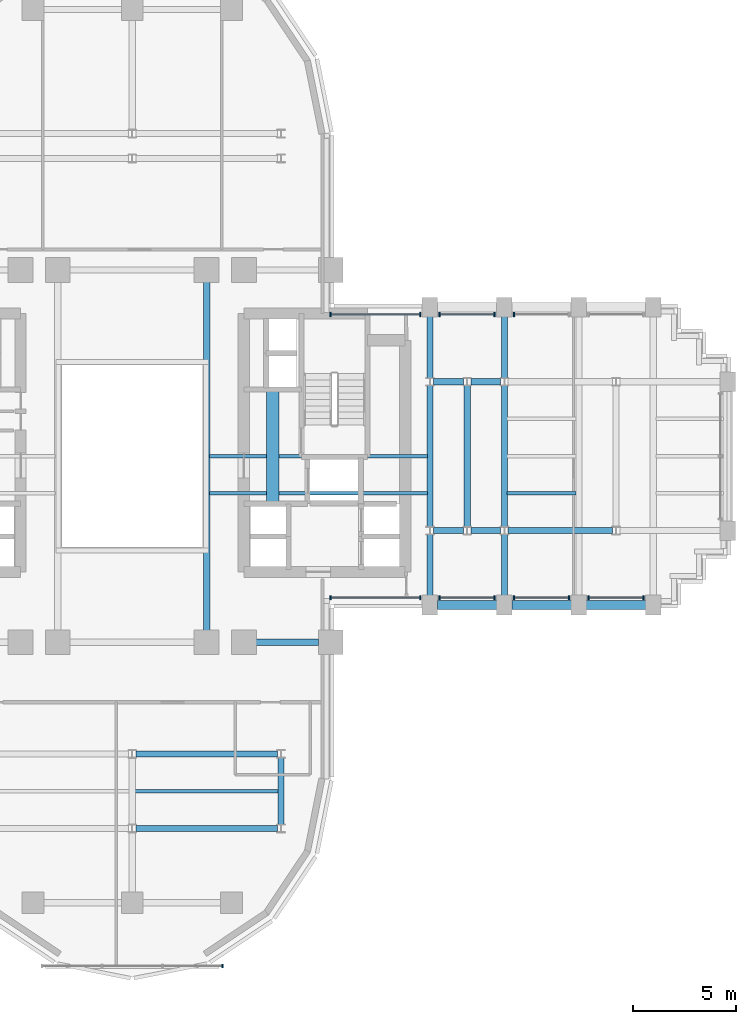
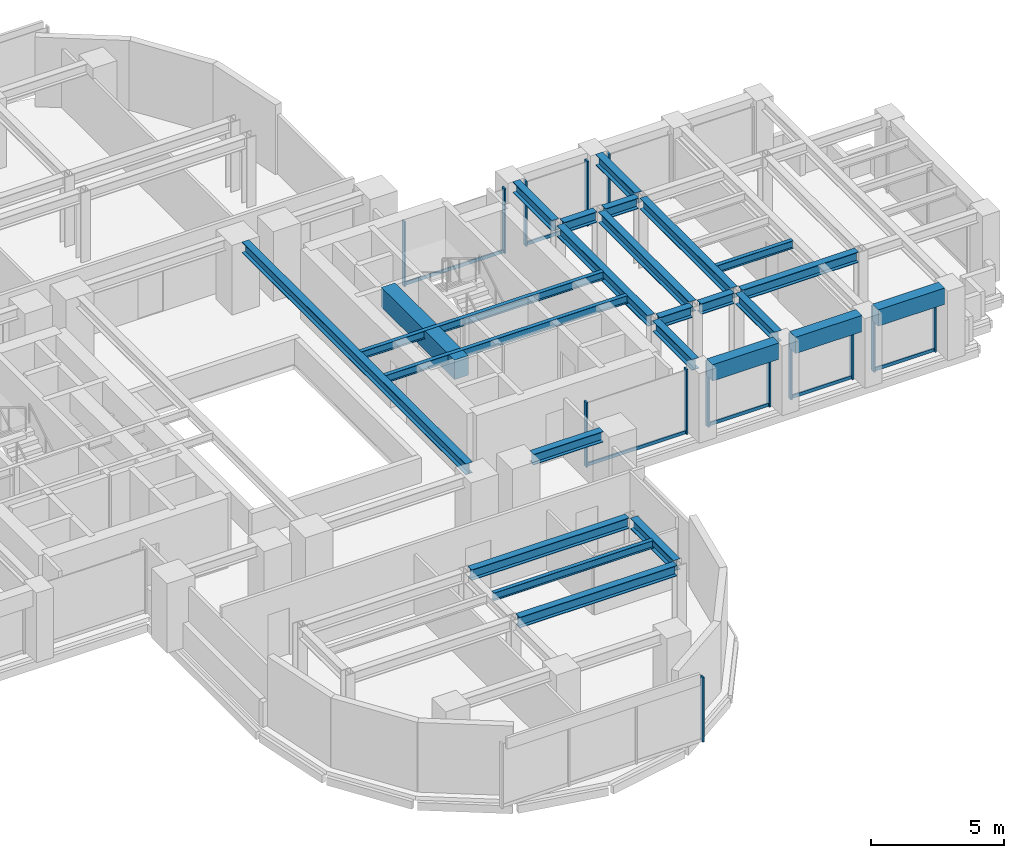
# One storey, part 5 of 16: 25 beams, 20 members, 8 elements without a shape of their own.
"""IFC4 building model written with IfcOpenShell, lengths in metres."""

import ifcopenshell
import ifcopenshell.guid

model = None  # the IFC model being written
_history = None  # IfcOwnerHistory: only IFC2X3 demands one
_inside = {}  # id of a spatial element -> (the spatial element, [elements in it])
_under = {}  # id of a project, library or spatial element -> (it, [spatial elements below it])
_declared = {}  # id of a project -> (the project, [libraries it declares])
_typed = {}  # id of a type object -> (the type object, [elements of that type])
_made_of = {}  # id of a material, layer set ... -> (it, [elements and type objects made of it])


def new_model(schema):
    """Start an empty IFC model of exactly this schema.

    Asked for "IFC4X3", IfcOpenShell would pick the latest addendum, in which some entities
    have other attributes; the version numbers below select the first issue.
    IFC2X3 requires an IfcOwnerHistory on every rooted entity: one is made here for all.
    """
    global model, _history
    if schema == "IFC4X3":
        model = ifcopenshell.file(schema_version=(4, 3, 0, 0))
    else:
        model = ifcopenshell.file(schema=schema)
    _inside.clear()
    _under.clear()
    _declared.clear()
    _typed.clear()
    _made_of.clear()
    _history = None
    if model.schema == "IFC2X3":
        org = make("IfcOrganization", Name="unknown")
        user = make(
            "IfcPersonAndOrganization",
            ThePerson=make("IfcPerson", FamilyName="unknown"),
            TheOrganization=org,
        )
        app = make(
            "IfcApplication",
            ApplicationDeveloper=org,
            Version="unknown",
            ApplicationFullName="unknown",
            ApplicationIdentifier="unknown",
        )
        _history = make(
            "IfcOwnerHistory",
            OwningUser=user,
            OwningApplication=app,
            ChangeAction="ADDED",
            CreationDate=0,
        )
    return model


def make(cls, **values):
    """One entity of the class cls with the attributes given. An attribute that is None is left unset."""
    return model.create_entity(
        cls, **{name: value for name, value in values.items() if value is not None}
    )


def rooted(cls, **values):
    """An entity with a GlobalId (a new one), such as an element, a storey or a relation."""
    return make(cls, GlobalId=ifcopenshell.guid.new(), OwnerHistory=_history, **values)


def si_unit(unit_type, name, prefix=None):
    """IfcSIUnit, for example si_unit("LENGTHUNIT", "METRE", prefix="MILLI")."""
    return make("IfcSIUnit", UnitType=unit_type, Prefix=prefix, Name=name)


def assignment(units):
    """IfcUnitAssignment: the units of a project."""
    return None if units is None else make("IfcUnitAssignment", Units=units)


def point(xyz):
    """IfcCartesianPoint."""
    return None if xyz is None else make("IfcCartesianPoint", Coordinates=xyz)


def direction(xyz):
    """IfcDirection."""
    return None if xyz is None else make("IfcDirection", DirectionRatios=xyz)


def frame(location, z_axis=None, x_axis=None):
    """IfcAxis2Placement3D, a coordinate frame: its origin and axes. An axis left out is left unset."""
    return make(
        "IfcAxis2Placement3D",
        Location=point(location),
        Axis=direction(z_axis),
        RefDirection=direction(x_axis),
    )


def frame_2d(location, x_axis=None):
    """IfcAxis2Placement2D, a coordinate frame in the plane: its origin and x axis."""
    return make(
        "IfcAxis2Placement2D", Location=point(location), RefDirection=direction(x_axis)
    )


def origin():
    """The frame at (0, 0, 0) with its axes left unset."""
    return frame((0.0, 0.0, 0.0))


def origin_2d():
    """The frame at (0, 0) in the plane with its x axis left unset."""
    return frame_2d((0.0, 0.0))


def place(relative_to, where):
    """IfcLocalPlacement: puts the frame where relative to a parent placement (None: the world)."""
    return make(
        "IfcLocalPlacement", PlacementRelTo=relative_to, RelativePlacement=where
    )


def context(
    kind, dimensions, precision=None, world=None, true_north=None, identifier=None
):
    """IfcGeometricRepresentationContext, for example the 3D "Model" context."""
    return make(
        "IfcGeometricRepresentationContext",
        ContextIdentifier=identifier,
        ContextType=kind,
        CoordinateSpaceDimension=dimensions,
        Precision=precision,
        WorldCoordinateSystem=world,
        TrueNorth=true_north,
    )


def subcontext(parent, identifier, kind, view, scale=None):
    """IfcGeometricRepresentationSubContext, for example "Body" below "Model"."""
    return make(
        "IfcGeometricRepresentationSubContext",
        ContextIdentifier=identifier,
        ContextType=kind,
        ParentContext=parent,
        TargetScale=scale,
        TargetView=view,
    )


def project(units=None, contexts=None):
    """IfcProject with its units and contexts."""
    return rooted(
        "IfcProject",
        Name="project",
        RepresentationContexts=contexts,
        UnitsInContext=assignment(units),
    )


def spatial(cls, under=None, at=None, **own):
    """A site, building, storey or space (cls), placed at a placement, below another one or the project."""
    s = rooted(cls, ObjectPlacement=at, **own)
    if under is not None:
        _under.setdefault(under.id(), (under, []))[1].append(s)
    return s


def profile(cls, at=None, kind="AREA", **sizes):
    """A parametric profile (cls). Its sizes go by their IFC names, for example OverallWidth=200.0."""
    return make(cls, ProfileType=kind, Position=at, **sizes)


def rectangle(**sizes):
    """IfcRectangleProfileDef."""
    return profile("IfcRectangleProfileDef", **sizes)


def i_section(**sizes):
    """IfcIShapeProfileDef."""
    return profile("IfcIShapeProfileDef", **sizes)


def extrude(swept, where, along, depth):
    """IfcExtrudedAreaSolid: the profile swept, set in the frame where, extruded along a direction by depth."""
    return make(
        "IfcExtrudedAreaSolid",
        SweptArea=swept,
        Position=where,
        ExtrudedDirection=direction(along),
        Depth=depth,
    )


def shape(context_of_items, identifier, shape_type, items):
    """IfcShapeRepresentation: the items that make up one representation, for example the "Body"."""
    return make(
        "IfcShapeRepresentation",
        ContextOfItems=context_of_items,
        RepresentationIdentifier=identifier,
        RepresentationType=shape_type,
        Items=items,
    )


def source(mapping_origin, context_of_items, identifier, shape_type, items):
    """IfcRepresentationMap: a shape defined once, which mapped items show again and again."""
    return make(
        "IfcRepresentationMap",
        MappingOrigin=mapping_origin,
        MappedRepresentation=shape(context_of_items, identifier, shape_type, items),
    )


def transform(
    local_origin,
    x_axis=None,
    y_axis=None,
    z_axis=None,
    scale=None,
    scale2=None,
    scale3=None,
    uniform=True,
):
    """IfcCartesianTransformationOperator3D, or its non-uniform kind. x_axis, y_axis, z_axis: its Axis1, 2, 3."""
    if uniform:
        return make(
            "IfcCartesianTransformationOperator3D",
            Axis1=direction(x_axis),
            Axis2=direction(y_axis),
            LocalOrigin=point(local_origin),
            Scale=scale,
            Axis3=direction(z_axis),
        )
    return make(
        "IfcCartesianTransformationOperator3DnonUniform",
        Axis1=direction(x_axis),
        Axis2=direction(y_axis),
        LocalOrigin=point(local_origin),
        Scale=scale,
        Axis3=direction(z_axis),
        Scale2=scale2,
        Scale3=scale3,
    )


def mapped(mapping_source, mapping_target):
    """IfcMappedItem: shows the shape of a source again, moved by a transform."""
    return make(
        "IfcMappedItem", MappingSource=mapping_source, MappingTarget=mapping_target
    )


def material(Name=None, Category=None):
    """IfcMaterial."""
    return make("IfcMaterial", Name=Name, Category=Category)


def material_profile(
    of_material, cross_section, Name=None, Category=None, Priority=None
):
    """IfcMaterialProfile: a cross section and its material."""
    return make(
        "IfcMaterialProfile",
        Name=Name,
        Material=of_material,
        Profile=cross_section,
        Priority=Priority,
        Category=Category,
    )


def profile_set(profiles, Name=None, composite=None):
    """IfcMaterialProfileSet."""
    return make(
        "IfcMaterialProfileSet",
        Name=Name,
        MaterialProfiles=profiles,
        CompositeProfile=composite,
    )


def made_of(thing, what):
    """Note that an element or type object is made of a material, layer set ...; save() writes the relation."""
    if what is not None:
        _made_of.setdefault(what.id(), (what, []))[1].append(thing)
    return thing


def type_object(cls, material=None, **own):
    """A type object (cls), such as IfcWallType, which elements share."""
    return made_of(rooted(cls, **own), material)


def element(
    cls,
    number,
    at=None,
    inside=None,
    cuts=None,
    type_object=None,
    material=None,
    context=None,
    identifier="Body",
    shape_type=None,
    held_by="IfcProductDefinitionShape",
    body=None,
    shapes=None,
    **own,
):
    """One element of the class cls, such as IfcWall. Its Tag is "e" and its number.

    at: its placement. inside: the storey or other place that contains it. cuts: it is an
    opening in that element (IfcRelVoidsElement). A single representation is given by context,
    identifier, shape_type and body (its items); several are given by shapes. held_by: the class
    of the entity that holds the representations. save() writes the other relations.
    """
    e = rooted(cls, Tag="e%d" % number, ObjectPlacement=at, **own)
    if body is not None:
        shapes = [shape(context, identifier, shape_type, body)]
    if shapes is not None:
        e.Representation = make(held_by, Representations=shapes)
    if inside is not None:
        _inside.setdefault(inside.id(), (inside, []))[1].append(e)
    if cuts is not None:
        rooted(
            "IfcRelVoidsElement", RelatingBuildingElement=cuts, RelatedOpeningElement=e
        )
    if type_object is not None:
        _typed.setdefault(type_object.id(), (type_object, []))[1].append(e)
    return made_of(e, material)


def aggregate(whole, parts):
    """IfcRelAggregates: a whole, such as a stair, and the parts it consists of."""
    return rooted("IfcRelAggregates", RelatingObject=whole, RelatedObjects=parts)


def save(model, path):
    """Write the relations noted so far, then the file.

    IfcRelAggregates (storeys below a building ...), IfcRelContainedInSpatialStructure (elements
    in a storey), IfcRelDefinesByType, IfcRelAssociatesMaterial and IfcRelDeclares: one each for
    every whole, place, type object, material and project.
    """
    for whole, parts in _under.values():
        aggregate(whole, parts)
    for where, things in _inside.values():
        rooted(
            "IfcRelContainedInSpatialStructure",
            RelatedElements=things,
            RelatingStructure=where,
        )
    for kind, things in _typed.values():
        rooted("IfcRelDefinesByType", RelatedObjects=things, RelatingType=kind)
    for what, things in _made_of.values():
        rooted("IfcRelAssociatesMaterial", RelatedObjects=things, RelatingMaterial=what)
    for by, libraries in _declared.values():
        rooted("IfcRelDeclares", RelatingContext=by, RelatedDefinitions=libraries)
    model.write(path)


model = new_model("IFC4")

# Units and contexts
model_context = context("Model", 3, precision=1e-05, world=origin(), true_north=direction((0.0, 1.0)))
body_context = subcontext(model_context, "Body", "Model", "MODEL_VIEW")
ifc_project = project(units=[si_unit("LENGTHUNIT", "METRE"), si_unit("AREAUNIT", "SQUARE_METRE"), si_unit("VOLUMEUNIT", "CUBIC_METRE"), si_unit("PLANEANGLEUNIT", "RADIAN"), si_unit("MASSUNIT", "GRAM", prefix="KILO")], contexts=[model_context])

# Site, building, storey
site_placement = place(None, origin())
site = spatial("IfcSite", under=ifc_project, at=site_placement, CompositionType="ELEMENT")
building_placement = place(site_placement, origin())
building = spatial("IfcBuilding", under=site, at=building_placement, Name="Keilestroom Media Tower", CompositionType="ELEMENT")
storey_placement = place(building_placement, frame((0.0, 0.0, 81.60009765625)))
storey = spatial("IfcBuildingStorey", under=building, at=storey_placement, Name="L21", CompositionType="ELEMENT", Elevation=81.60009765625)

# Beams
ifc_material_1 = material(Name="Concrete C70/85", Category="concrete")
ifc_material_profile_1 = material_profile(ifc_material_1, rectangle(XDim=0.60009765625, YDim=0.89990234375, at=origin_2d()), Name="RC 600x900")
ifc_profile_set_1 = profile_set([ifc_material_profile_1], Name="Concrete C70/85")
beam_type_1 = type_object("IfcBeamType", Name="Core-Coupling-Lintel-Beam-RC-600x900", PredefinedType="LINTEL", material=ifc_profile_set_1)
shared_shape_1 = source(origin(), body_context, "Body", "SweptSolid", [
    extrude(rectangle(XDim=0.60009765625, YDim=0.89990234375, at=origin_2d()), origin(), (0.0, 0.0, 1.0), 5.52001953125),
])
beam_1_placement = place(storey_placement, frame((6.800048828125, -2.300048828125, 2.75), z_axis=(0.0, 1.0, 0.0), x_axis=(-1.0, 0.0, 0.0)))
element("IfcBeam", 1, at=beam_1_placement, inside=storey, type_object=beam_type_1, Name="L21 Beam CLB-1 CLB-L21-E", PredefinedType="LINTEL", context=body_context, shape_type="MappedRepresentation", body=[
    mapped(shared_shape_1, transform((0.0, 0.0, 0.0), x_axis=(1.0, 0.0, 0.0), y_axis=(0.0, 1.0, 0.0), z_axis=(0.0, 0.0, 1.0), scale=1.0)),
])
ifc_material_2 = material(Name="Precast concrete C40/50", Category="concrete")
ifc_material_profile_2 = material_profile(ifc_material_2, rectangle(XDim=0.449951171875, YDim=0.75, at=origin_2d()), Name="PC 450x750")
ifc_profile_set_2 = profile_set([ifc_material_profile_2], Name="Precast concrete C40/50")
beam_type_2 = type_object("IfcBeamType", Name="Perimeter-Spandrel-Beam-PC-450x750", PredefinedType="SPANDREL", material=ifc_profile_set_2)
shared_shape_2 = source(origin(), body_context, "Body", "SweptSolid", [
    extrude(rectangle(XDim=0.449951171875, YDim=0.75, at=origin_2d()), origin(), (0.0, 0.0, 1.0), 2.889892578125),
])
beam_2_placement = place(storey_placement, frame((21.955078125, -7.199951171875, 2.824951171875), z_axis=(1.0, 0.0, 0.0), x_axis=(0.0, 1.0, 0.0)))
element("IfcBeam", 2, at=beam_2_placement, inside=storey, type_object=beam_type_2, Name="L21 Beam SPB-1 BM-L21-EW-017", PredefinedType="SPANDREL", context=body_context, shape_type="MappedRepresentation", body=[
    mapped(shared_shape_2, transform((0.0, 0.0, 0.0), x_axis=(1.0, 0.0, 0.0), y_axis=(0.0, 1.0, 0.0), z_axis=(0.0, 0.0, 1.0), scale=1.0)),
])
shared_shape_3 = source(origin(), body_context, "Body", "SweptSolid", [
    extrude(rectangle(XDim=0.449951171875, YDim=0.75, at=origin_2d()), origin(), (0.0, 0.0, 1.0), 2.89013671875),
])
for number, where, z_axis, x_axis, name in (
    (3, (14.7548828125, -7.199951171875, 2.824951171875), (1.0, 0.0, 0.0), (0.0, 1.0, 0.0), "L21 Beam SPB-1 BM-L21-EW-015"),
    (4, (18.35498046875, -7.199951171875, 2.824951171875), (1.0, 0.0, 0.0), (0.0, 1.0, 0.0), "L21 Beam SPB-1 BM-L21-EW-016"),
):
    element("IfcBeam", number, at=place(storey_placement, frame(where, z_axis=z_axis, x_axis=x_axis)), inside=storey, type_object=beam_type_2, Name=name, PredefinedType="SPANDREL", context=body_context, shape_type="MappedRepresentation", body=[
        mapped(shared_shape_3, transform((0.0, 0.0, 0.0), x_axis=(1.0, 0.0, 0.0), y_axis=(0.0, 1.0, 0.0), z_axis=(0.0, 0.0, 1.0), scale=1.0)),
    ])
ifc_material_3 = material(Name="Steel S355", Category="steel")
ifc_material_profile_3 = material_profile(ifc_material_3, i_section(OverallWidth=0.300048828125, OverallDepth=0.5, WebThickness=0.012451171875, FlangeThickness=0.028076171875, at=origin_2d()), Name="HEB 500")
ifc_profile_set_3 = profile_set([ifc_material_profile_3], Name="Steel S355")
beam_type_3 = type_object("IfcBeamType", Name="Primary-Structural-Girder-HEB-500", PredefinedType="BEAM", material=ifc_profile_set_3)
shared_shape_4 = source(origin(), body_context, "Body", "SweptSolid", [
    extrude(i_section(OverallWidth=0.300048828125, OverallDepth=0.5, WebThickness=0.012451171875, FlangeThickness=0.028076171875, at=origin_2d()), origin(), (0.0, 0.0, 1.0), 6.8330078125),
])
for number, where, z_axis, x_axis, name in (
    (5, (14.39990234375, -3.41650390625, 2.949951171875), (0.0, 1.0, 0.0), (-1.0, 0.0, 0.0), "L21 Beam BG-6 BM-L21-NS-077"),
    (6, (16.199951171875, -3.41650390625, 2.949951171875), (0.0, 1.0, 0.0), (-1.0, 0.0, 0.0), "L21 Beam BG-6 BM-L21-NS-079"),
    (7, (18.0, -3.41650390625, 2.949951171875), (0.0, 1.0, 0.0), (-1.0, 0.0, 0.0), "L21 Beam BG-6 BM-L21-NS-081"),
):
    element("IfcBeam", number, at=place(storey_placement, frame(where, z_axis=z_axis, x_axis=x_axis)), inside=storey, type_object=beam_type_3, Name=name, PredefinedType="BEAM", context=body_context, shape_type="MappedRepresentation", body=[
        mapped(shared_shape_4, transform((0.0, 0.0, 0.0), x_axis=(1.0, 0.0, 0.0), y_axis=(0.0, 1.0, 0.0), z_axis=(0.0, 0.0, 1.0), scale=1.0)),
    ])
shared_shape_5 = source(origin(), body_context, "Body", "SweptSolid", [
    extrude(i_section(OverallWidth=0.300048828125, OverallDepth=0.5, WebThickness=0.012451171875, FlangeThickness=0.028076171875, at=origin_2d()), origin(), (0.0, 0.0, 1.0), 2.961669921875),
])
for number, where, z_axis, x_axis, name in (
    (8, (14.39990234375, -6.7451171875, 2.949951171875), (0.0, 1.0, 0.0), (-1.0, 0.0, 0.0), "L21 Beam BG-6 BM-L21-NS-076"),
    (9, (14.39990234375, 3.783447265625, 2.949951171875), (0.0, 1.0, 0.0), (-1.0, 0.0, 0.0), "L21 Beam BG-6 BM-L21-NS-078"),
    (10, (18.0, -6.7451171875, 2.949951171875), (0.0, 1.0, 0.0), (-1.0, 0.0, 0.0), "L21 Beam BG-6 BM-L21-NS-080"),
    (11, (18.0, 3.783447265625, 2.949951171875), (0.0, 1.0, 0.0), (-1.0, 0.0, 0.0), "L21 Beam BG-6 BM-L21-NS-082"),
):
    element("IfcBeam", number, at=place(storey_placement, frame(where, z_axis=z_axis, x_axis=x_axis)), inside=storey, type_object=beam_type_3, Name=name, PredefinedType="BEAM", context=body_context, shape_type="MappedRepresentation", body=[
        mapped(shared_shape_5, transform((0.0, 0.0, 0.0), x_axis=(1.0, 0.0, 0.0), y_axis=(0.0, 1.0, 0.0), z_axis=(0.0, 0.0, 1.0), scale=1.0)),
    ])
shared_shape_6 = source(origin(), body_context, "Body", "SweptSolid", [
    extrude(i_section(OverallWidth=0.300048828125, OverallDepth=0.5, WebThickness=0.012451171875, FlangeThickness=0.028076171875, at=origin_2d()), origin(), (0.0, 0.0, 1.0), 3.23291015625),
])
beam_3_placement = place(storey_placement, frame((7.199951171875, -17.81640625, 2.949951171875), z_axis=(0.0, 1.0, 0.0), x_axis=(-1.0, 0.0, 0.0)))
element("IfcBeam", 12, at=beam_3_placement, inside=storey, type_object=beam_type_3, Name="L21 Beam BG-6 BM-L21-NS-073", PredefinedType="BEAM", context=body_context, shape_type="MappedRepresentation", body=[
    mapped(shared_shape_6, transform((0.0, 0.0, 0.0), x_axis=(1.0, 0.0, 0.0), y_axis=(0.0, 1.0, 0.0), z_axis=(0.0, 0.0, 1.0), scale=1.0)),
])
shared_shape_7 = source(origin(), body_context, "Body", "SweptSolid", [
    extrude(i_section(OverallWidth=0.300048828125, OverallDepth=0.5, WebThickness=0.012451171875, FlangeThickness=0.028076171875, at=origin_2d()), origin(), (0.0, 0.0, 1.0), 16.83984375),
])
beam_4_placement = place(storey_placement, frame((3.60009765625, -8.419921875, 2.949951171875), z_axis=(0.0, 1.0, 0.0), x_axis=(-1.0, 0.0, 0.0)))
element("IfcBeam", 13, at=beam_4_placement, inside=storey, type_object=beam_type_3, Name="L21 Beam BG-6 BM-L21-NS-071", PredefinedType="BEAM", context=body_context, shape_type="MappedRepresentation", body=[
    mapped(shared_shape_7, transform((0.0, 0.0, 0.0), x_axis=(1.0, 0.0, 0.0), y_axis=(0.0, 1.0, 0.0), z_axis=(0.0, 0.0, 1.0), scale=1.0)),
])
ifc_material_profile_4 = material_profile(ifc_material_3, i_section(OverallWidth=0.300048828125, OverallDepth=0.489990234375, WebThickness=0.011962890625, FlangeThickness=0.02294921875, at=origin_2d()), Name="HEA 500")
ifc_profile_set_4 = profile_set([ifc_material_profile_4], Name="Steel S355")
beam_type_4 = type_object("IfcBeamType", Name="Primary-Structural-Girder-HEA-500", PredefinedType="BEAM", material=ifc_profile_set_4)
shared_shape_8 = source(origin(), body_context, "Body", "SweptSolid", [
    extrude(i_section(OverallWidth=0.300048828125, OverallDepth=0.489990234375, WebThickness=0.011962890625, FlangeThickness=0.02294921875, at=origin_2d()), origin(), (0.0, 0.0, 1.0), 6.836181640625),
])
for number, where, z_axis, x_axis, name in (
    (14, (0.181884765625, -18.0, 2.954833984375), (1.0, 0.0, 0.0), (0.0, 1.0, 0.0), "L21 Beam BG-10 BM-L21-EW-004"),
    (15, (0.181884765625, -14.39990234375, 2.954833984375), (1.0, 0.0, 0.0), (0.0, 1.0, 0.0), "L21 Beam BG-10 BM-L21-EW-006"),
):
    element("IfcBeam", number, at=place(storey_placement, frame(where, z_axis=z_axis, x_axis=x_axis)), inside=storey, type_object=beam_type_4, Name=name, PredefinedType="BEAM", context=body_context, shape_type="MappedRepresentation", body=[
        mapped(shared_shape_8, transform((0.0, 0.0, 0.0), x_axis=(1.0, 0.0, 0.0), y_axis=(0.0, 1.0, 0.0), z_axis=(0.0, 0.0, 1.0), scale=1.0)),
    ])
shared_shape_9 = source(origin(), body_context, "Body", "SweptSolid", [
    extrude(i_section(OverallWidth=0.300048828125, OverallDepth=0.489990234375, WebThickness=0.011962890625, FlangeThickness=0.02294921875, at=origin_2d()), origin(), (0.0, 0.0, 1.0), 3.0400390625),
])
beam_5_placement = place(storey_placement, frame((5.97998046875, -9.0, 2.954833984375), z_axis=(1.0, 0.0, 0.0), x_axis=(0.0, 1.0, 0.0)))
element("IfcBeam", 16, at=beam_5_placement, inside=storey, type_object=beam_type_4, Name="L21 Beam BG-10 BM-L21-EW-011", PredefinedType="BEAM", context=body_context, shape_type="MappedRepresentation", body=[
    mapped(shared_shape_9, transform((0.0, 0.0, 0.0), x_axis=(1.0, 0.0, 0.0), y_axis=(0.0, 1.0, 0.0), z_axis=(0.0, 0.0, 1.0), scale=1.0)),
])
shared_shape_10 = source(origin(), body_context, "Body", "SweptSolid", [
    extrude(i_section(OverallWidth=0.300048828125, OverallDepth=0.489990234375, WebThickness=0.011962890625, FlangeThickness=0.02294921875, at=origin_2d()), origin(), (0.0, 0.0, 1.0), 5.0361328125),
])
beam_6_placement = place(storey_placement, frame((18.181884765625, -3.60009765625, 2.954833984375), z_axis=(1.0, 0.0, 0.0), x_axis=(0.0, 1.0, 0.0)))
element("IfcBeam", 17, at=beam_6_placement, inside=storey, type_object=beam_type_4, Name="L21 Beam BG-10 BM-L21-EW-024", PredefinedType="BEAM", context=body_context, shape_type="MappedRepresentation", body=[
    mapped(shared_shape_10, transform((0.0, 0.0, 0.0), x_axis=(1.0, 0.0, 0.0), y_axis=(0.0, 1.0, 0.0), z_axis=(0.0, 0.0, 1.0), scale=1.0)),
])
shared_shape_11 = source(origin(), body_context, "Body", "SweptSolid", [
    extrude(i_section(OverallWidth=0.300048828125, OverallDepth=0.489990234375, WebThickness=0.011962890625, FlangeThickness=0.02294921875, at=origin_2d()), origin(), (0.0, 0.0, 1.0), 1.43603515625),
])
for number, where, z_axis, x_axis, name in (
    (18, (14.58203125, -3.60009765625, 2.954833984375), (1.0, 0.0, 0.0), (0.0, 1.0, 0.0), "L21 Beam BG-10 BM-L21-EW-022"),
    (19, (16.382080078125, -3.60009765625, 2.954833984375), (1.0, 0.0, 0.0), (0.0, 1.0, 0.0), "L21 Beam BG-10 BM-L21-EW-023"),
    (20, (14.58203125, 3.60009765625, 2.954833984375), (1.0, 0.0, 0.0), (0.0, 1.0, 0.0), "L21 Beam BG-10 BM-L21-EW-030"),
    (21, (16.382080078125, 3.60009765625, 2.954833984375), (1.0, 0.0, 0.0), (0.0, 1.0, 0.0), "L21 Beam BG-10 BM-L21-EW-031"),
):
    element("IfcBeam", number, at=place(storey_placement, frame(where, z_axis=z_axis, x_axis=x_axis)), inside=storey, type_object=beam_type_4, Name=name, PredefinedType="BEAM", context=body_context, shape_type="MappedRepresentation", body=[
        mapped(shared_shape_11, transform((0.0, 0.0, 0.0), x_axis=(1.0, 0.0, 0.0), y_axis=(0.0, 1.0, 0.0), z_axis=(0.0, 0.0, 1.0), scale=1.0)),
    ])
ifc_material_profile_5 = material_profile(ifc_material_3, i_section(OverallWidth=0.169921875, OverallDepth=0.360107421875, WebThickness=0.008056640625, FlangeThickness=0.0126953125, at=origin_2d()), Name="IPE 360")
ifc_profile_set_5 = profile_set([ifc_material_profile_5], Name="Steel S355")
beam_type_5 = type_object("IfcBeamType", Name="Secondary-Floor-Joist-IPE-360", PredefinedType="JOIST", material=ifc_profile_set_5)
shared_shape_12 = source(origin(), body_context, "Body", "SweptSolid", [
    extrude(i_section(OverallWidth=0.169921875, OverallDepth=0.360107421875, WebThickness=0.008056640625, FlangeThickness=0.0126953125, at=origin_2d()), origin(), (0.0, 0.0, 1.0), 6.940185546875),
])
beam_7_placement = place(storey_placement, frame((0.1298828125, -16.199951171875, 3.02001953125), z_axis=(1.0, 0.0, 0.0), x_axis=(0.0, 1.0, 0.0)))
element("IfcBeam", 22, at=beam_7_placement, inside=storey, type_object=beam_type_5, Name="L21 Beam BJ-5 JST-L21-088", PredefinedType="JOIST", context=body_context, shape_type="MappedRepresentation", body=[
    mapped(shared_shape_12, transform((0.0, 0.0, 0.0), x_axis=(1.0, 0.0, 0.0), y_axis=(0.0, 1.0, 0.0), z_axis=(0.0, 0.0, 1.0), scale=1.0)),
])
shared_shape_13 = source(origin(), body_context, "Body", "SweptSolid", [
    extrude(i_section(OverallWidth=0.169921875, OverallDepth=0.360107421875, WebThickness=0.008056640625, FlangeThickness=0.0126953125, at=origin_2d()), origin(), (0.0, 0.0, 1.0), 3.340087890625),
])
beam_8_placement = place(storey_placement, frame((18.1298828125, -1.800048828125, 3.02001953125), z_axis=(1.0, 0.0, 0.0), x_axis=(0.0, 1.0, 0.0)))
element("IfcBeam", 23, at=beam_8_placement, inside=storey, type_object=beam_type_5, Name="L21 Beam BJ-5 JST-L21-094", PredefinedType="JOIST", context=body_context, shape_type="MappedRepresentation", body=[
    mapped(shared_shape_13, transform((0.0, 0.0, 0.0), x_axis=(1.0, 0.0, 0.0), y_axis=(0.0, 1.0, 0.0), z_axis=(0.0, 0.0, 1.0), scale=1.0)),
])
shared_shape_14 = source(origin(), body_context, "Body", "SweptSolid", [
    extrude(i_section(OverallWidth=0.169921875, OverallDepth=0.360107421875, WebThickness=0.008056640625, FlangeThickness=0.0126953125, at=origin_2d()), origin(), (0.0, 0.0, 1.0), 10.5400390625),
])
for number, where, z_axis, x_axis, name in (
    (24, (3.72998046875, -1.800048828125, 3.02001953125), (1.0, 0.0, 0.0), (0.0, 1.0, 0.0), "L21 Beam BJ-5 JST-L21-093"),
    (25, (3.72998046875, 0.0, 3.02001953125), (1.0, 0.0, 0.0), (0.0, 1.0, 0.0), "L21 Beam BJ-5 JST-L21-100"),
):
    element("IfcBeam", number, at=place(storey_placement, frame(where, z_axis=z_axis, x_axis=x_axis)), inside=storey, type_object=beam_type_5, Name=name, PredefinedType="JOIST", context=body_context, shape_type="MappedRepresentation", body=[
        mapped(shared_shape_14, transform((0.0, 0.0, 0.0), x_axis=(1.0, 0.0, 0.0), y_axis=(0.0, 1.0, 0.0), z_axis=(0.0, 0.0, 1.0), scale=1.0)),
    ])

# Curtain wall, members
ifc_material_4 = material(Name="Anodised Aluminium Alloy", Category="aluminium")
curtain_wall_type_1 = type_object("IfcCurtainWallType", Name="Unitised-Curtain-Wall-CW-1", PredefinedType="NOTDEFINED", material=ifc_material_4)
curtain_wall_1_placement = place(storey_placement, origin())
curtain_wall_1 = element("IfcCurtainWall", 26, at=curtain_wall_1_placement, inside=storey, type_object=curtain_wall_type_1, Name="L21 Curtain Wall CW-1 CW-L21-NE-1", PredefinedType="NOTDEFINED")
ifc_material_profile_6 = material_profile(ifc_material_4, rectangle(XDim=0.070068359375, YDim=0.199951171875, at=origin_2d()), Name="ALU MULLION 70x200")
ifc_profile_set_6 = profile_set([ifc_material_profile_6], Name="Anodised Aluminium Alloy")
member_type_1 = type_object("IfcMemberType", Name="Curtain-Wall-Mullion-CW-1", PredefinedType="MULLION", material=ifc_profile_set_6)
shared_shape_15 = source(origin(), body_context, "Body", "SweptSolid", [
    extrude(rectangle(XDim=0.070068359375, YDim=0.199951171875, at=origin_2d()), origin(), (0.0, 0.0, 1.0), 2.97998046875),
])
member_1_placement = place(storey_placement, frame((9.5849609375, 6.85009765625, 0.0), z_axis=(0.0, 0.0, 1.0), x_axis=(1.0, 0.0, 0.0)))
member_1 = element("IfcMember", 27, at=member_1_placement, type_object=member_type_1, Name="CW-1 Mullion 00", PredefinedType="MULLION", context=body_context, shape_type="MappedRepresentation", body=[
    mapped(shared_shape_15, transform((0.0, 0.0, 0.0), x_axis=(1.0, 0.0, 0.0), y_axis=(0.0, 1.0, 0.0), z_axis=(0.0, 0.0, 1.0), scale=1.0)),
])
member_2_placement = place(storey_placement, frame((13.929931640625, 6.85009765625, 0.0), z_axis=(0.0, 0.0, 1.0), x_axis=(1.0, 0.0, 0.0)))
member_2 = element("IfcMember", 28, at=member_2_placement, type_object=member_type_1, Name="CW-1 Mullion 01", PredefinedType="MULLION", context=body_context, shape_type="MappedRepresentation", body=[
    mapped(shared_shape_15, transform((0.0, 0.0, 0.0), x_axis=(1.0, 0.0, 0.0), y_axis=(0.0, 1.0, 0.0), z_axis=(0.0, 0.0, 1.0), scale=1.0)),
])

curtain_wall_2_placement = place(storey_placement, origin())
curtain_wall_2 = element("IfcCurtainWall", 29, at=curtain_wall_2_placement, inside=storey, type_object=curtain_wall_type_1, Name="L21 Curtain Wall CW-1 CW-L21-NE-2", PredefinedType="NOTDEFINED")
member_3_placement = place(storey_placement, frame((14.8701171875, 6.85009765625, 0.0), z_axis=(0.0, 0.0, 1.0), x_axis=(1.0, 0.0, 0.0)))
member_3 = element("IfcMember", 30, at=member_3_placement, type_object=member_type_1, Name="CW-1 Mullion 00", PredefinedType="MULLION", context=body_context, shape_type="MappedRepresentation", body=[
    mapped(shared_shape_15, transform((0.0, 0.0, 0.0), x_axis=(1.0, 0.0, 0.0), y_axis=(0.0, 1.0, 0.0), z_axis=(0.0, 0.0, 1.0), scale=1.0)),
])
member_4_placement = place(storey_placement, frame((17.530029296875, 6.85009765625, 0.0), z_axis=(0.0, 0.0, 1.0), x_axis=(1.0, 0.0, 0.0)))
member_4 = element("IfcMember", 31, at=member_4_placement, type_object=member_type_1, Name="CW-1 Mullion 01", PredefinedType="MULLION", context=body_context, shape_type="MappedRepresentation", body=[
    mapped(shared_shape_15, transform((0.0, 0.0, 0.0), x_axis=(1.0, 0.0, 0.0), y_axis=(0.0, 1.0, 0.0), z_axis=(0.0, 0.0, 1.0), scale=1.0)),
])

# Curtain wall, member
curtain_wall_3_placement = place(storey_placement, origin())
curtain_wall_3 = element("IfcCurtainWall", 32, at=curtain_wall_3_placement, inside=storey, type_object=curtain_wall_type_1, Name="L21 Curtain Wall CW-1 CW-L21-NE-3", PredefinedType="NOTDEFINED")
member_5_placement = place(storey_placement, frame((18.469970703125, 6.85009765625, 0.0), z_axis=(0.0, 0.0, 1.0), x_axis=(1.0, 0.0, 0.0)))
member_5 = element("IfcMember", 33, at=member_5_placement, type_object=member_type_1, Name="CW-1 Mullion 00", PredefinedType="MULLION", context=body_context, shape_type="MappedRepresentation", body=[
    mapped(shared_shape_15, transform((0.0, 0.0, 0.0), x_axis=(1.0, 0.0, 0.0), y_axis=(0.0, 1.0, 0.0), z_axis=(0.0, 0.0, 1.0), scale=1.0)),
])
aggregate(curtain_wall_3, [member_5])

# Curtain wall, members
curtain_wall_4_placement = place(storey_placement, origin())
curtain_wall_4 = element("IfcCurtainWall", 34, at=curtain_wall_4_placement, inside=storey, type_object=curtain_wall_type_1, Name="L21 Curtain Wall CW-1 CW-L21-SE-1", PredefinedType="NOTDEFINED")
member_6_placement = place(storey_placement, frame((9.5849609375, -6.85009765625, 0.0), z_axis=(0.0, 0.0, 1.0), x_axis=(1.0, 0.0, 0.0)))
member_6 = element("IfcMember", 35, at=member_6_placement, type_object=member_type_1, Name="CW-1 Mullion 00", PredefinedType="MULLION", context=body_context, shape_type="MappedRepresentation", body=[
    mapped(shared_shape_15, transform((0.0, 0.0, 0.0), x_axis=(1.0, 0.0, 0.0), y_axis=(0.0, 1.0, 0.0), z_axis=(0.0, 0.0, 1.0), scale=1.0)),
])
member_7_placement = place(storey_placement, frame((13.929931640625, -6.85009765625, 0.0), z_axis=(0.0, 0.0, 1.0), x_axis=(1.0, 0.0, 0.0)))
member_7 = element("IfcMember", 36, at=member_7_placement, type_object=member_type_1, Name="CW-1 Mullion 01", PredefinedType="MULLION", context=body_context, shape_type="MappedRepresentation", body=[
    mapped(shared_shape_15, transform((0.0, 0.0, 0.0), x_axis=(1.0, 0.0, 0.0), y_axis=(0.0, 1.0, 0.0), z_axis=(0.0, 0.0, 1.0), scale=1.0)),
])

curtain_wall_5_placement = place(storey_placement, origin())
curtain_wall_5 = element("IfcCurtainWall", 37, at=curtain_wall_5_placement, inside=storey, type_object=curtain_wall_type_1, Name="L21 Curtain Wall CW-1 CW-L21-SE-2", PredefinedType="NOTDEFINED")
member_8_placement = place(storey_placement, frame((14.8701171875, -6.85009765625, 0.0), z_axis=(0.0, 0.0, 1.0), x_axis=(1.0, 0.0, 0.0)))
member_8 = element("IfcMember", 38, at=member_8_placement, type_object=member_type_1, Name="CW-1 Mullion 00", PredefinedType="MULLION", context=body_context, shape_type="MappedRepresentation", body=[
    mapped(shared_shape_15, transform((0.0, 0.0, 0.0), x_axis=(1.0, 0.0, 0.0), y_axis=(0.0, 1.0, 0.0), z_axis=(0.0, 0.0, 1.0), scale=1.0)),
])
member_9_placement = place(storey_placement, frame((17.530029296875, -6.85009765625, 0.0), z_axis=(0.0, 0.0, 1.0), x_axis=(1.0, 0.0, 0.0)))
member_9 = element("IfcMember", 39, at=member_9_placement, type_object=member_type_1, Name="CW-1 Mullion 01", PredefinedType="MULLION", context=body_context, shape_type="MappedRepresentation", body=[
    mapped(shared_shape_15, transform((0.0, 0.0, 0.0), x_axis=(1.0, 0.0, 0.0), y_axis=(0.0, 1.0, 0.0), z_axis=(0.0, 0.0, 1.0), scale=1.0)),
])

curtain_wall_6_placement = place(storey_placement, origin())
curtain_wall_6 = element("IfcCurtainWall", 40, at=curtain_wall_6_placement, inside=storey, type_object=curtain_wall_type_1, Name="L21 Curtain Wall CW-1 CW-L21-SE-3", PredefinedType="NOTDEFINED")
member_10_placement = place(storey_placement, frame((18.469970703125, -6.85009765625, 0.0), z_axis=(0.0, 0.0, 1.0), x_axis=(1.0, 0.0, 0.0)))
member_10 = element("IfcMember", 41, at=member_10_placement, type_object=member_type_1, Name="CW-1 Mullion 00", PredefinedType="MULLION", context=body_context, shape_type="MappedRepresentation", body=[
    mapped(shared_shape_15, transform((0.0, 0.0, 0.0), x_axis=(1.0, 0.0, 0.0), y_axis=(0.0, 1.0, 0.0), z_axis=(0.0, 0.0, 1.0), scale=1.0)),
])
member_11_placement = place(storey_placement, frame((21.1298828125, -6.85009765625, 0.0), z_axis=(0.0, 0.0, 1.0), x_axis=(1.0, 0.0, 0.0)))
member_11 = element("IfcMember", 42, at=member_11_placement, type_object=member_type_1, Name="CW-1 Mullion 01", PredefinedType="MULLION", context=body_context, shape_type="MappedRepresentation", body=[
    mapped(shared_shape_15, transform((0.0, 0.0, 0.0), x_axis=(1.0, 0.0, 0.0), y_axis=(0.0, 1.0, 0.0), z_axis=(0.0, 0.0, 1.0), scale=1.0)),
])

curtain_wall_7_placement = place(storey_placement, origin())
curtain_wall_7 = element("IfcCurtainWall", 43, at=curtain_wall_7_placement, inside=storey, type_object=curtain_wall_type_1, Name="L21 Curtain Wall CW-1 CW-L21-SE-4", PredefinedType="NOTDEFINED")
member_12_placement = place(storey_placement, frame((22.070068359375, -6.85009765625, 0.0), z_axis=(0.0, 0.0, 1.0), x_axis=(1.0, 0.0, 0.0)))
member_12 = element("IfcMember", 44, at=member_12_placement, type_object=member_type_1, Name="CW-1 Mullion 00", PredefinedType="MULLION", context=body_context, shape_type="MappedRepresentation", body=[
    mapped(shared_shape_15, transform((0.0, 0.0, 0.0), x_axis=(1.0, 0.0, 0.0), y_axis=(0.0, 1.0, 0.0), z_axis=(0.0, 0.0, 1.0), scale=1.0)),
])
member_13_placement = place(storey_placement, frame((24.72998046875, -6.85009765625, 0.0), z_axis=(0.0, 0.0, 1.0), x_axis=(1.0, 0.0, 0.0)))
member_13 = element("IfcMember", 45, at=member_13_placement, type_object=member_type_1, Name="CW-1 Mullion 01", PredefinedType="MULLION", context=body_context, shape_type="MappedRepresentation", body=[
    mapped(shared_shape_15, transform((0.0, 0.0, 0.0), x_axis=(1.0, 0.0, 0.0), y_axis=(0.0, 1.0, 0.0), z_axis=(0.0, 0.0, 1.0), scale=1.0)),
])

# Member
ifc_material_profile_7 = material_profile(ifc_material_4, rectangle(XDim=0.06494140625, YDim=0.14990234375, at=origin_2d()), Name="ALU TRANSOM 65x150")
ifc_profile_set_7 = profile_set([ifc_material_profile_7], Name="Anodised Aluminium Alloy")
member_type_2 = type_object("IfcMemberType", Name="Curtain-Wall-Transom-CW-1", PredefinedType="USERDEFINED", material=ifc_profile_set_7)
shared_shape_16 = source(origin(), body_context, "Body", "SweptSolid", [
    extrude(rectangle(XDim=0.06494140625, YDim=0.14990234375, at=origin_2d()), origin(), (0.0, 0.0, 1.0), 2.593994140625),
])
member_14_placement = place(storey_placement, frame((14.903076171875, 6.85009765625, 0.074951171875), z_axis=(1.0, 0.0, 0.0), x_axis=(0.0, 1.0, 0.0)))
member_14 = element("IfcMember", 46, at=member_14_placement, type_object=member_type_2, Name="CW-1 Transom 00.1", ObjectType="TRANSOM", PredefinedType="USERDEFINED", context=body_context, shape_type="MappedRepresentation", body=[
    mapped(shared_shape_16, transform((0.0, 0.0, 0.0), x_axis=(1.0, 0.0, 0.0), y_axis=(0.0, 1.0, 0.0), z_axis=(0.0, 0.0, 1.0), scale=1.0)),
])

aggregate(curtain_wall_2, [member_3, member_4, member_14])

member_15_placement = place(storey_placement, frame((14.903076171875, -6.85009765625, 0.074951171875), z_axis=(1.0, 0.0, 0.0), x_axis=(0.0, 1.0, 0.0)))
member_15 = element("IfcMember", 47, at=member_15_placement, type_object=member_type_2, Name="CW-1 Transom 00.1", ObjectType="TRANSOM", PredefinedType="USERDEFINED", context=body_context, shape_type="MappedRepresentation", body=[
    mapped(shared_shape_16, transform((0.0, 0.0, 0.0), x_axis=(1.0, 0.0, 0.0), y_axis=(0.0, 1.0, 0.0), z_axis=(0.0, 0.0, 1.0), scale=1.0)),
])

aggregate(curtain_wall_5, [member_8, member_9, member_15])

member_16_placement = place(storey_placement, frame((18.5029296875, -6.85009765625, 0.074951171875), z_axis=(1.0, 0.0, 0.0), x_axis=(0.0, 1.0, 0.0)))
member_16 = element("IfcMember", 48, at=member_16_placement, type_object=member_type_2, Name="CW-1 Transom 00.1", ObjectType="TRANSOM", PredefinedType="USERDEFINED", context=body_context, shape_type="MappedRepresentation", body=[
    mapped(shared_shape_16, transform((0.0, 0.0, 0.0), x_axis=(1.0, 0.0, 0.0), y_axis=(0.0, 1.0, 0.0), z_axis=(0.0, 0.0, 1.0), scale=1.0)),
])

aggregate(curtain_wall_6, [member_10, member_11, member_16])

member_17_placement = place(storey_placement, frame((22.10302734375, -6.85009765625, 0.074951171875), z_axis=(1.0, 0.0, 0.0), x_axis=(0.0, 1.0, 0.0)))
member_17 = element("IfcMember", 49, at=member_17_placement, type_object=member_type_2, Name="CW-1 Transom 00.1", ObjectType="TRANSOM", PredefinedType="USERDEFINED", context=body_context, shape_type="MappedRepresentation", body=[
    mapped(shared_shape_16, transform((0.0, 0.0, 0.0), x_axis=(1.0, 0.0, 0.0), y_axis=(0.0, 1.0, 0.0), z_axis=(0.0, 0.0, 1.0), scale=1.0)),
])

aggregate(curtain_wall_7, [member_12, member_13, member_17])

shared_shape_17 = source(origin(), body_context, "Body", "SweptSolid", [
    extrude(rectangle(XDim=0.06494140625, YDim=0.14990234375, at=origin_2d()), origin(), (0.0, 0.0, 1.0), 4.279052734375),
])
member_18_placement = place(storey_placement, frame((9.617919921875, 6.85009765625, 0.074951171875), z_axis=(1.0, 0.0, 0.0), x_axis=(0.0, 1.0, 0.0)))
member_18 = element("IfcMember", 50, at=member_18_placement, type_object=member_type_2, Name="CW-1 Transom 00.1", ObjectType="TRANSOM", PredefinedType="USERDEFINED", context=body_context, shape_type="MappedRepresentation", body=[
    mapped(shared_shape_17, transform((0.0, 0.0, 0.0), x_axis=(1.0, 0.0, 0.0), y_axis=(0.0, 1.0, 0.0), z_axis=(0.0, 0.0, 1.0), scale=1.0)),
])

aggregate(curtain_wall_1, [member_1, member_2, member_18])

member_19_placement = place(storey_placement, frame((9.617919921875, -6.85009765625, 0.074951171875), z_axis=(1.0, 0.0, 0.0), x_axis=(0.0, 1.0, 0.0)))
member_19 = element("IfcMember", 51, at=member_19_placement, type_object=member_type_2, Name="CW-1 Transom 00.1", ObjectType="TRANSOM", PredefinedType="USERDEFINED", context=body_context, shape_type="MappedRepresentation", body=[
    mapped(shared_shape_17, transform((0.0, 0.0, 0.0), x_axis=(1.0, 0.0, 0.0), y_axis=(0.0, 1.0, 0.0), z_axis=(0.0, 0.0, 1.0), scale=1.0)),
])

aggregate(curtain_wall_4, [member_6, member_7, member_19])

# Curtain wall, member
curtain_wall_type_2 = type_object("IfcCurtainWallType", Name="Unitised-Curtain-Wall-CW-6", PredefinedType="NOTDEFINED", material=ifc_material_4)
curtain_wall_8_placement = place(storey_placement, origin())
curtain_wall_8 = element("IfcCurtainWall", 52, at=curtain_wall_8_placement, inside=storey, type_object=curtain_wall_type_2, Name="L21 Curtain Wall CW-6 CW-L21-LS-1", PredefinedType="NOTDEFINED")
ifc_material_profile_8 = material_profile(ifc_material_4, rectangle(XDim=0.06494140625, YDim=0.179931640625, at=origin_2d()), Name="ALU MULLION 65x180")
ifc_profile_set_8 = profile_set([ifc_material_profile_8], Name="Anodised Aluminium Alloy")
member_type_3 = type_object("IfcMemberType", Name="Curtain-Wall-Mullion-CW-6", PredefinedType="MULLION", material=ifc_profile_set_8)
shared_shape_18 = source(origin(), body_context, "Body", "SweptSolid", [
    extrude(rectangle(XDim=0.06494140625, YDim=0.179931640625, at=origin_2d()), origin(), (0.0, 0.0, 1.0), 2.97998046875),
])
member_20_placement = place(storey_placement, frame((4.367431640625, -24.64990234375, 0.0), z_axis=(0.0, 0.0, 1.0), x_axis=(1.0, 0.0, 0.0)))
member_20 = element("IfcMember", 53, at=member_20_placement, type_object=member_type_3, Name="CW-6 Mullion 03", PredefinedType="MULLION", context=body_context, shape_type="MappedRepresentation", body=[
    mapped(shared_shape_18, transform((0.0, 0.0, 0.0), x_axis=(1.0, 0.0, 0.0), y_axis=(0.0, 1.0, 0.0), z_axis=(0.0, 0.0, 1.0), scale=1.0)),
])
aggregate(curtain_wall_8, [member_20])

save(model, "model.ifc")
